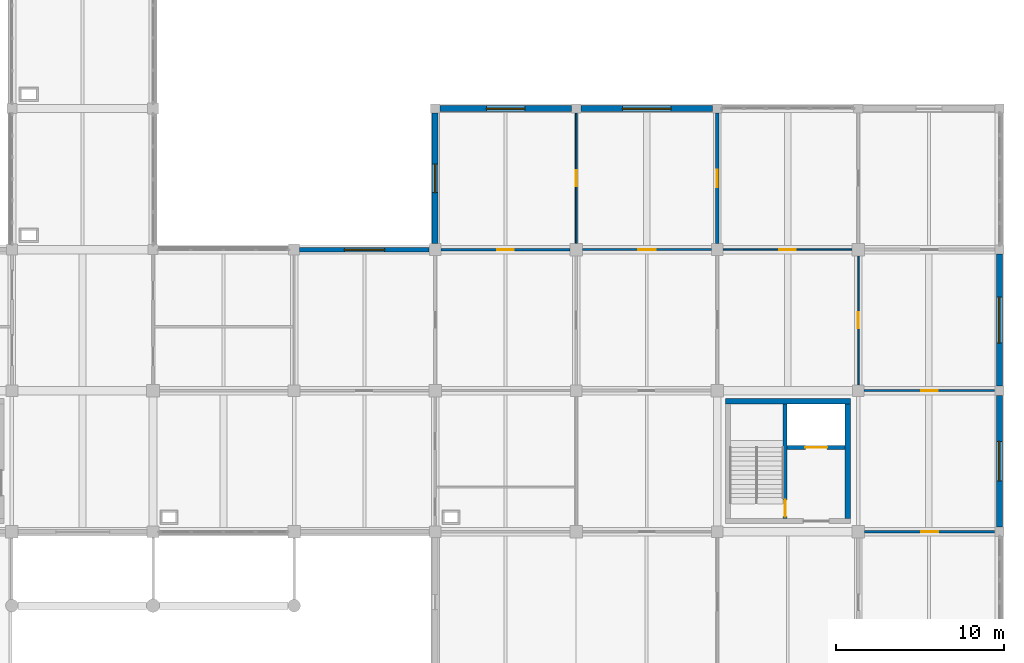
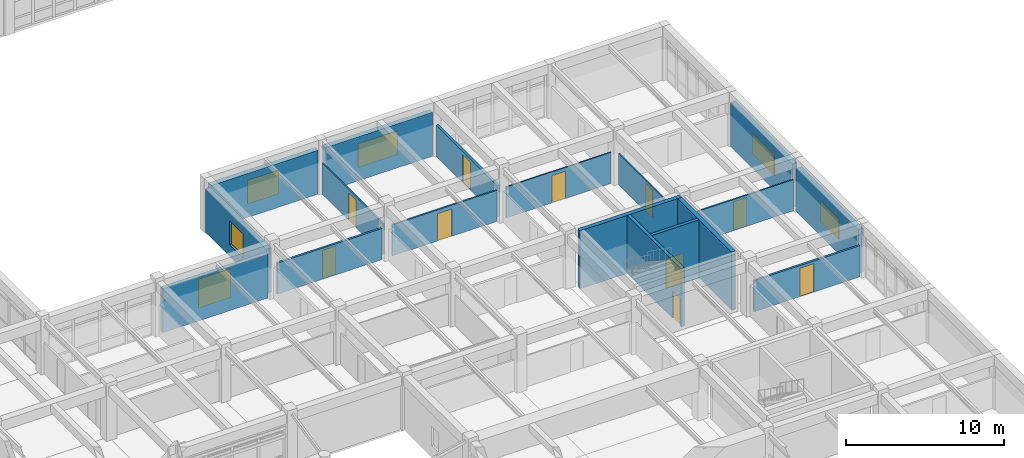
# One storey, part 93 of 99: 18 walls, 10 doors, 6 windows, 16 openings.
"""IFC4 building model written with IfcOpenShell, lengths in metres."""

from ifc_helpers import new_model, si_unit, direction, frame, frame_2d, origin, place, context, subcontext, project, spatial, rectangle, extrude, material, layer, layer_set, type_object, element, fill, save


model = new_model("IFC4")

# Units and contexts
model_context = context("Model", 3, precision=1e-05, world=origin(), true_north=direction((0.0, 1.0)))
body_context = subcontext(model_context, "Body", "Model", "MODEL_VIEW")
ifc_project = project(units=[si_unit("LENGTHUNIT", "METRE"), si_unit("AREAUNIT", "SQUARE_METRE"), si_unit("VOLUMEUNIT", "CUBIC_METRE"), si_unit("PLANEANGLEUNIT", "RADIAN"), si_unit("MASSUNIT", "GRAM", prefix="KILO")], contexts=[model_context])

# Site, building, storey
site_placement = place(None, origin())
site = spatial("IfcSite", under=ifc_project, at=site_placement, CompositionType="ELEMENT")
building_placement = place(site_placement, origin())
building = spatial("IfcBuilding", under=site, at=building_placement, Name="Porcellanite Civic Hall", CompositionType="ELEMENT")
storey_placement = place(building_placement, frame((0.0, 0.0, 5.760009765625)))
storey = spatial("IfcBuildingStorey", under=building, at=storey_placement, Name="L01", CompositionType="ELEMENT", Elevation=5.760009765625)

# Wall, opening, door
ifc_material_1 = material(Name="Concrete N40 (40 MPa)", Category="concrete")
ifc_layer_1 = layer(ifc_material_1, 0.239990234375)
ifc_layer_set_1 = layer_set([ifc_layer_1], Name="Concrete N40 (40 MPa)")
wall_type_1 = type_object("IfcWallType", Name="CW-SH240", PredefinedType="SHEAR", material=ifc_layer_set_1)
wall_1_placement = place(storey_placement, frame((163.639892578125, 51.179931640625, 0.0), z_axis=(0.0, 0.0, 1.0), x_axis=(0.0, 1.0, 0.0)))
wall_1 = element("IfcWall", 1, at=wall_1_placement, inside=storey, type_object=wall_type_1, Name="Core divider C8 L01", PredefinedType="SHEAR", context=body_context, shape_type="SweptSolid", body=[
    extrude(rectangle(XDim=6.840087890625, YDim=0.239990234375, at=frame_2d((3.419921875, 0.0))), origin(), (0.0, 0.0, 1.0), 4.5),
])
opening_1_placement = place(wall_1_placement, frame((0.1201171875, 0.0, 0.0)))
opening_1 = element("IfcOpeningElement", 2, at=opening_1_placement, cuts=wall_1, Name="Opening FD-C8-L01-ST", PredefinedType="OPENING", context=body_context, shape_type="SweptSolid", body=[
    extrude(rectangle(XDim=1.0, YDim=2.14990234375, at=frame_2d((0.5, 1.074951171875))), frame((0.0, 0.1201171875, 0.0), z_axis=(0.0, -1.0, 0.0), x_axis=(1.0, 0.0, 0.0)), (0.0, 0.0, 1.0), 0.239990234375),
])
ifc_material_2 = material(Name="Fire-rated solid-core hardwood timber", Category="wood")
door_type_1 = type_object("IfcDoorType", Name="DR-FD100", OperationType="NOTDEFINED", PredefinedType="DOOR", material=ifc_material_2)
door_1_placement = place(opening_1_placement, origin())
door_1 = element("IfcDoor", 3, at=door_1_placement, inside=storey, type_object=door_type_1, Name="Fire stair door FD-C8-L01-ST", OperationType="SINGLE_SWING_LEFT", OverallHeight=2.14990234375, OverallWidth=1.0, PredefinedType="DOOR", context=body_context, shape_type="SweptSolid", body=[
    extrude(rectangle(XDim=1.0, YDim=2.14990234375, at=frame_2d((0.5, 1.074951171875))), frame((0.0, 0.02490234375, 0.0), z_axis=(0.0, -1.0, 0.0), x_axis=(1.0, 0.0, 0.0)), (0.0, 0.0, 1.0), 0.050048828125),
])
fill(opening_1, door_1)

wall_2_placement = place(storey_placement, frame((163.760009765625, 55.419921875, 0.0), z_axis=(0.0, 0.0, 1.0), x_axis=(1.0, 0.0, 0.0)))
wall_2 = element("IfcWall", 4, at=wall_2_placement, inside=storey, type_object=wall_type_1, Name="Lift shaft wall C8 L01", PredefinedType="SHEAR", context=body_context, shape_type="SweptSolid", body=[
    extrude(rectangle(XDim=3.4599609375, YDim=0.239990234375, at=frame_2d((1.72998046875, 0.0))), origin(), (0.0, 0.0, 1.0), 4.5),
])
opening_2_placement = place(wall_2_placement, frame((1.080078125, 0.0, 0.0)))
opening_2 = element("IfcOpeningElement", 5, at=opening_2_placement, cuts=wall_2, Name="Opening LD-08", PredefinedType="OPENING", context=body_context, shape_type="SweptSolid", body=[
    extrude(rectangle(XDim=1.300048828125, YDim=2.25, at=frame_2d((0.64990234375, 1.125))), frame((0.0, 0.1201171875, 0.0), z_axis=(0.0, -1.0, 0.0), x_axis=(1.0, 0.0, 0.0)), (0.0, 0.0, 1.0), 0.239990234375),
])
ifc_material_3 = material(Name="Brushed stainless steel 316", Category="steel")
door_type_2 = type_object("IfcDoorType", Name="DR-LD130", OperationType="DOUBLE_DOOR_SLIDING", PredefinedType="DOOR", material=ifc_material_3)
door_2_placement = place(opening_2_placement, origin())
door_2 = element("IfcDoor", 6, at=door_2_placement, inside=storey, type_object=door_type_2, Name="Lift landing sliding door LD-08 L01", OperationType="DOUBLE_DOOR_SLIDING", OverallHeight=2.25, OverallWidth=1.300048828125, PredefinedType="DOOR", context=body_context, shape_type="SweptSolid", body=[
    extrude(rectangle(XDim=1.300048828125, YDim=2.25, at=frame_2d((0.64990234375, 1.125))), frame((0.0, 0.02490234375, 0.0), z_axis=(0.0, -1.0, 0.0), x_axis=(1.0, 0.0, 0.0)), (0.0, 0.0, 1.0), 0.050048828125),
])
fill(opening_2, door_2)

# Walls
ifc_material_4 = material(Name="Concrete N40 (40 MPa)", Category="concrete")
ifc_layer_2 = layer(ifc_material_4, 0.300048828125)
ifc_layer_set_2 = layer_set([ifc_layer_2], Name="Concrete N40 (40 MPa)")
wall_type_2 = type_object("IfcWallType", Name="CW-SH300", PredefinedType="SHEAR", material=ifc_layer_set_2)
wall_3_placement = place(storey_placement, frame((160.080078125, 58.169921875, 0.0), z_axis=(0.0, 0.0, 1.0), x_axis=(1.0, 0.0, 0.0)))
element("IfcWall", 7, at=wall_3_placement, inside=storey, type_object=wall_type_2, Name="Core wall C8 L01 N", PredefinedType="SHEAR", context=body_context, shape_type="SweptSolid", body=[
    extrude(rectangle(XDim=7.43994140625, YDim=0.300048828125, at=frame_2d((3.719970703125, 0.0))), origin(), (0.0, 0.0, 1.0), 4.5),
])
wall_4_placement = place(storey_placement, frame((167.3701171875, 58.02001953125, 0.0), z_axis=(0.0, 0.0, 1.0), x_axis=(0.0, -1.0, 0.0)))
element("IfcWall", 8, at=wall_4_placement, inside=storey, type_object=wall_type_2, Name="Core wall C8 L01 E", PredefinedType="SHEAR", context=body_context, shape_type="SweptSolid", body=[
    extrude(rectangle(XDim=6.840087890625, YDim=0.300048828125, at=frame_2d((3.419921875, 0.0))), origin(), (0.0, 0.0, 1.0), 4.5),
])

# Wall, opening, window
ifc_material_5 = material(Name="Precast concrete N40 (40 MPa)", Category="concrete")
ifc_layer_3 = layer(ifc_material_5, 0.280029296875)
ifc_layer_set_3 = layer_set([ifc_layer_3], Name="Precast concrete N40 (40 MPa)")
wall_type_3 = type_object("IfcWallType", Name="EW-CLO280", PredefinedType="SOLIDWALL", material=ifc_layer_set_3)
wall_5_placement = place(storey_placement, frame((134.72607421875, 67.199951171875, 0.0), z_axis=(0.0, 0.0, 1.0), x_axis=(1.0, 0.0, 0.0)))
wall_5 = element("IfcWall", 9, at=wall_5_placement, inside=storey, type_object=wall_type_3, Name="Exterior wall L01 N 17-8", PredefinedType="SOLIDWALL", context=body_context, shape_type="SweptSolid", body=[
    extrude(rectangle(XDim=7.722900390625, YDim=0.280029296875, at=frame_2d((3.861328125, 0.0))), origin(), (0.0, 0.0, 1.0), 3.39990234375),
])
opening_3_placement = place(wall_5_placement, frame((2.662109375, 0.0, 0.89990234375)))
opening_3 = element("IfcOpeningElement", 10, at=opening_3_placement, cuts=wall_5, Name="Opening W19", PredefinedType="OPENING", context=body_context, shape_type="SweptSolid", body=[
    extrude(rectangle(XDim=2.39990234375, YDim=2.25, at=frame_2d((1.199951171875, 1.125))), frame((0.0, 0.14013671875, 0.0), z_axis=(0.0, -1.0, 0.0), x_axis=(1.0, 0.0, 0.0)), (0.0, 0.0, 1.0), 0.280029296875),
])
ifc_material_6 = material(Name="Cyclone laminated low-E glazing in anodised aluminium frame", Category="aluminium")
window_type_1 = type_object("IfcWindowType", Name="WN-19", PartitioningType="TRIPLE_PANEL_VERTICAL", PredefinedType="WINDOW", material=ifc_material_6)
window_1_placement = place(opening_3_placement, origin())
window_1 = element("IfcWindow", 11, at=window_1_placement, inside=storey, type_object=window_type_1, Name="Window W19 L01 N 17-8", OverallHeight=2.25, OverallWidth=2.39990234375, PartitioningType="SINGLE_PANEL", PredefinedType="WINDOW", context=body_context, shape_type="SweptSolid", body=[
    extrude(rectangle(XDim=2.39990234375, YDim=2.25, at=frame_2d((1.199951171875, 1.125))), frame((0.0, 0.030029296875, 0.0), z_axis=(0.0, -1.0, 0.0), x_axis=(1.0, 0.0, 0.0)), (0.0, 0.0, 1.0), 0.06005859375),
])
fill(opening_3, window_1)

ifc_material_7 = material(Name="Precast concrete N40 (40 MPa)", Category="concrete")
ifc_layer_4 = layer(ifc_material_7, 0.360107421875)
ifc_layer_set_4 = layer_set([ifc_layer_4], Name="Precast concrete N40 (40 MPa)")
wall_type_4 = type_object("IfcWallType", Name="EW-LIB360", PredefinedType="SOLIDWALL", material=ifc_layer_set_4)
wall_6_placement = place(storey_placement, frame((142.800048828125, 67.551025390625, 0.0), z_axis=(0.0, 0.0, 1.0), x_axis=(0.0, 1.0, 0.0)))
wall_6 = element("IfcWall", 12, at=wall_6_placement, inside=storey, type_object=wall_type_4, Name="Exterior wall L01 W 18-9", PredefinedType="SOLIDWALL", context=body_context, shape_type="SweptSolid", body=[
    extrude(rectangle(XDim=7.77294921875, YDim=0.360107421875, at=frame_2d((3.886474609375, 0.0))), origin(), (0.0, 0.0, 1.0), 3.39990234375),
])
opening_4_placement = place(wall_6_placement, frame((3.035888671875, 0.0, 0.89990234375)))
opening_4 = element("IfcOpeningElement", 13, at=opening_4_placement, cuts=wall_6, Name="Opening W27", PredefinedType="OPENING", context=body_context, shape_type="SweptSolid", body=[
    extrude(rectangle(XDim=1.699951171875, YDim=1.85009765625, at=frame_2d((0.85009765625, 0.925048828125))), frame((0.0, 0.18017578125, 0.0), z_axis=(0.0, -1.0, 0.0), x_axis=(1.0, 0.0, 0.0)), (0.0, 0.0, 1.0), 0.360107421875),
])
ifc_material_8 = material(Name="Cyclone laminated low-E glazing in anodised aluminium frame", Category="aluminium")
window_type_2 = type_object("IfcWindowType", Name="WN-27", PartitioningType="DOUBLE_PANEL_VERTICAL", PredefinedType="WINDOW", material=ifc_material_8)
window_2_placement = place(opening_4_placement, origin())
window_2 = element("IfcWindow", 14, at=window_2_placement, inside=storey, type_object=window_type_2, Name="Window W27 L01 W 18-9", OverallHeight=1.85009765625, OverallWidth=1.699951171875, PartitioningType="SINGLE_PANEL", PredefinedType="WINDOW", context=body_context, shape_type="SweptSolid", body=[
    extrude(rectangle(XDim=1.699951171875, YDim=1.85009765625, at=frame_2d((0.85009765625, 0.925048828125))), frame((0.0, 0.030029296875, 0.0), z_axis=(0.0, -1.0, 0.0), x_axis=(1.0, 0.0, 0.0)), (0.0, 0.0, 1.0), 0.06005859375),
])
fill(opening_4, window_2)

wall_7_placement = place(storey_placement, frame((143.075927734375, 75.60009765625, 0.0), z_axis=(0.0, 0.0, 1.0), x_axis=(1.0, 0.0, 0.0)))
wall_7 = element("IfcWall", 15, at=wall_7_placement, inside=storey, type_object=wall_type_4, Name="Exterior wall L01 N 18-9", PredefinedType="SOLIDWALL", context=body_context, shape_type="SweptSolid", body=[
    extrude(rectangle(XDim=7.84814453125, YDim=0.360107421875, at=frame_2d((3.924072265625, 0.0))), origin(), (0.0, 0.0, 1.0), 3.39990234375),
])
opening_5_placement = place(wall_7_placement, frame((2.77392578125, 0.0, 0.89990234375)))
opening_5 = element("IfcOpeningElement", 16, at=opening_5_placement, cuts=wall_7, Name="Opening W28", PredefinedType="OPENING", context=body_context, shape_type="SweptSolid", body=[
    extrude(rectangle(XDim=2.300048828125, YDim=1.85009765625, at=frame_2d((1.14990234375, 0.925048828125))), frame((0.0, 0.18017578125, 0.0), z_axis=(0.0, -1.0, 0.0), x_axis=(1.0, 0.0, 0.0)), (0.0, 0.0, 1.0), 0.360107421875),
])
ifc_material_9 = material(Name="Cyclone laminated low-E glazing in anodised aluminium frame", Category="aluminium")
window_type_3 = type_object("IfcWindowType", Name="WN-28", PartitioningType="DOUBLE_PANEL_VERTICAL", PredefinedType="WINDOW", material=ifc_material_9)
window_3_placement = place(opening_5_placement, origin())
window_3 = element("IfcWindow", 17, at=window_3_placement, inside=storey, type_object=window_type_3, Name="Window W28 L01 N 18-9", OverallHeight=1.85009765625, OverallWidth=2.300048828125, PartitioningType="SINGLE_PANEL", PredefinedType="WINDOW", context=body_context, shape_type="SweptSolid", body=[
    extrude(rectangle(XDim=2.300048828125, YDim=1.85009765625, at=frame_2d((1.14990234375, 0.925048828125))), frame((0.0, 0.030029296875, 0.0), z_axis=(0.0, -1.0, 0.0), x_axis=(1.0, 0.0, 0.0)), (0.0, 0.0, 1.0), 0.06005859375),
])
fill(opening_5, window_3)

wall_8_placement = place(storey_placement, frame((151.47607421875, 75.60009765625, 0.0), z_axis=(0.0, 0.0, 1.0), x_axis=(1.0, 0.0, 0.0)))
wall_8 = element("IfcWall", 18, at=wall_8_placement, inside=storey, type_object=wall_type_4, Name="Exterior wall L01 N 19-9", PredefinedType="SOLIDWALL", context=body_context, shape_type="SweptSolid", body=[
    extrude(rectangle(XDim=7.847900390625, YDim=0.360107421875, at=frame_2d((3.923828125, 0.0))), origin(), (0.0, 0.0, 1.0), 3.39990234375),
])
opening_6_placement = place(wall_8_placement, frame((2.47412109375, 0.0, 0.89990234375)))
opening_6 = element("IfcOpeningElement", 19, at=opening_6_placement, cuts=wall_8, Name="Opening W29", PredefinedType="OPENING", context=body_context, shape_type="SweptSolid", body=[
    extrude(rectangle(XDim=2.89990234375, YDim=1.85009765625, at=frame_2d((1.449951171875, 0.925048828125))), frame((0.0, 0.18017578125, 0.0), z_axis=(0.0, -1.0, 0.0), x_axis=(1.0, 0.0, 0.0)), (0.0, 0.0, 1.0), 0.360107421875),
])
ifc_material_10 = material(Name="Cyclone laminated low-E glazing in anodised aluminium frame", Category="aluminium")
window_type_4 = type_object("IfcWindowType", Name="WN-29", PartitioningType="TRIPLE_PANEL_VERTICAL", PredefinedType="WINDOW", material=ifc_material_10)
window_4_placement = place(opening_6_placement, origin())
window_4 = element("IfcWindow", 20, at=window_4_placement, inside=storey, type_object=window_type_4, Name="Window W29 L01 N 19-9", OverallHeight=1.85009765625, OverallWidth=2.89990234375, PartitioningType="SINGLE_PANEL", PredefinedType="WINDOW", context=body_context, shape_type="SweptSolid", body=[
    extrude(rectangle(XDim=2.89990234375, YDim=1.85009765625, at=frame_2d((1.449951171875, 0.925048828125))), frame((0.0, 0.030029296875, 0.0), z_axis=(0.0, -1.0, 0.0), x_axis=(1.0, 0.0, 0.0)), (0.0, 0.0, 1.0), 0.06005859375),
])
fill(opening_6, window_4)

wall_9_placement = place(storey_placement, frame((176.39990234375, 58.52392578125, 0.0), z_axis=(0.0, 0.0, 1.0), x_axis=(0.0, -1.0, 0.0)))
wall_9 = element("IfcWall", 21, at=wall_9_placement, inside=storey, type_object=wall_type_4, Name="Exterior wall L01 E 21-7", PredefinedType="SOLIDWALL", context=body_context, shape_type="SweptSolid", body=[
    extrude(rectangle(XDim=7.847900390625, YDim=0.360107421875, at=frame_2d((3.923828125, 0.0))), origin(), (0.0, 0.0, 1.0), 3.39990234375),
])
opening_7_placement = place(wall_9_placement, frame((2.7490234375, 0.0, 0.89990234375)))
opening_7 = element("IfcOpeningElement", 22, at=opening_7_placement, cuts=wall_9, Name="Opening W36", PredefinedType="OPENING", context=body_context, shape_type="SweptSolid", body=[
    extrude(rectangle(XDim=2.35009765625, YDim=1.60009765625, at=frame_2d((1.175048828125, 0.800048828125))), frame((0.0, 0.18017578125, 0.0), z_axis=(0.0, -1.0, 0.0), x_axis=(1.0, 0.0, 0.0)), (0.0, 0.0, 1.0), 0.360107421875),
])
ifc_material_11 = material(Name="Cyclone laminated low-E glazing in anodised aluminium frame", Category="aluminium")
window_type_5 = type_object("IfcWindowType", Name="WN-36", PartitioningType="DOUBLE_PANEL_VERTICAL", PredefinedType="WINDOW", material=ifc_material_11)
window_5_placement = place(opening_7_placement, origin())
window_5 = element("IfcWindow", 23, at=window_5_placement, inside=storey, type_object=window_type_5, Name="Window W36 L01 E 21-7", OverallHeight=1.60009765625, OverallWidth=2.35009765625, PartitioningType="SINGLE_PANEL", PredefinedType="WINDOW", context=body_context, shape_type="SweptSolid", body=[
    extrude(rectangle(XDim=2.35009765625, YDim=1.60009765625, at=frame_2d((1.175048828125, 0.800048828125))), frame((0.0, 0.030029296875, 0.0), z_axis=(0.0, -1.0, 0.0), x_axis=(1.0, 0.0, 0.0)), (0.0, 0.0, 1.0), 0.06005859375),
])
fill(opening_7, window_5)

wall_10_placement = place(storey_placement, frame((176.39990234375, 66.924072265625, 0.0), z_axis=(0.0, 0.0, 1.0), x_axis=(0.0, -1.0, 0.0)))
wall_10 = element("IfcWall", 24, at=wall_10_placement, inside=storey, type_object=wall_type_4, Name="Exterior wall L01 E 21-8", PredefinedType="SOLIDWALL", context=body_context, shape_type="SweptSolid", body=[
    extrude(rectangle(XDim=7.84814453125, YDim=0.360107421875, at=frame_2d((3.924072265625, 0.0))), origin(), (0.0, 0.0, 1.0), 3.39990234375),
])
opening_8_placement = place(wall_10_placement, frame((2.549072265625, 0.0, 0.89990234375)))
opening_8 = element("IfcOpeningElement", 25, at=opening_8_placement, cuts=wall_10, Name="Opening W37", PredefinedType="OPENING", context=body_context, shape_type="SweptSolid", body=[
    extrude(rectangle(XDim=2.75, YDim=1.60009765625, at=frame_2d((1.375, 0.800048828125))), frame((0.0, 0.18017578125, 0.0), z_axis=(0.0, -1.0, 0.0), x_axis=(1.0, 0.0, 0.0)), (0.0, 0.0, 1.0), 0.360107421875),
])
ifc_material_12 = material(Name="Cyclone laminated low-E glazing in anodised aluminium frame", Category="aluminium")
window_type_6 = type_object("IfcWindowType", Name="WN-37", PartitioningType="TRIPLE_PANEL_VERTICAL", PredefinedType="WINDOW", material=ifc_material_12)
window_6_placement = place(opening_8_placement, origin())
window_6 = element("IfcWindow", 26, at=window_6_placement, inside=storey, type_object=window_type_6, Name="Window W37 L01 E 21-8", OverallHeight=1.60009765625, OverallWidth=2.75, PartitioningType="SINGLE_PANEL", PredefinedType="WINDOW", context=body_context, shape_type="SweptSolid", body=[
    extrude(rectangle(XDim=2.75, YDim=1.60009765625, at=frame_2d((1.375, 0.800048828125))), frame((0.0, 0.030029296875, 0.0), z_axis=(0.0, -1.0, 0.0), x_axis=(1.0, 0.0, 0.0)), (0.0, 0.0, 1.0), 0.06005859375),
])
fill(opening_8, window_6)

# Wall, opening, door
ifc_material_13 = material(Name="Insulated acoustic plasterboard on light-gauge steel studs", Category="steel")
ifc_layer_5 = layer(ifc_material_13, 0.094970703125)
ifc_layer_set_5 = layer_set([ifc_layer_5], Name="Insulated acoustic plasterboard on light-gauge steel studs")
wall_type_5 = type_object("IfcWallType", Name="IW-PT095", PredefinedType="PARTITIONING", material=ifc_layer_set_5)
wall_11_placement = place(storey_placement, frame((159.951904296875, 67.199951171875, 0.0), z_axis=(0.0, 0.0, 1.0), x_axis=(1.0, 0.0, 0.0)))
wall_11 = element("IfcWall", 27, at=wall_11_placement, inside=storey, type_object=wall_type_5, Name="Partition L01 H 20-8", PredefinedType="PARTITIONING", context=body_context, shape_type="SweptSolid", body=[
    extrude(rectangle(XDim=7.671142578125, YDim=0.094970703125, at=frame_2d((3.83544921875, 0.0))), origin(), (0.0, 0.0, 1.0), 2.39990234375),
])
opening_9_placement = place(wall_11_placement, frame((3.35107421875, 0.0, 0.0)))
opening_9 = element("IfcOpeningElement", 28, at=opening_9_placement, cuts=wall_11, Name="Opening D-L01-245", PredefinedType="OPENING", context=body_context, shape_type="SweptSolid", body=[
    extrude(rectangle(XDim=0.969970703125, YDim=2.1201171875, at=frame_2d((0.48486328125, 1.06005859375))), frame((0.0, 0.04736328125, 0.0), z_axis=(0.0, -1.0, 0.0), x_axis=(1.0, 0.0, 0.0)), (0.0, 0.0, 1.0), 0.094970703125),
])
ifc_material_14 = material(Name="Solid-core spotted-gum timber", Category="wood")
door_type_3 = type_object("IfcDoorType", Name="DR-RM097", OperationType="NOTDEFINED", PredefinedType="DOOR", material=ifc_material_14)
door_3_placement = place(opening_9_placement, origin())
door_3 = element("IfcDoor", 29, at=door_3_placement, inside=storey, type_object=door_type_3, Name="Interior door D-L01-245", OperationType="SINGLE_SWING_LEFT", OverallHeight=2.1201171875, OverallWidth=0.969970703125, PredefinedType="DOOR", context=body_context, shape_type="SweptSolid", body=[
    extrude(rectangle(XDim=0.969970703125, YDim=2.1201171875, at=frame_2d((0.48486328125, 1.06005859375))), frame((0.0, 0.02490234375, 0.0), z_axis=(0.0, -1.0, 0.0), x_axis=(1.0, 0.0, 0.0)), (0.0, 0.0, 1.0), 0.050048828125),
])
fill(opening_9, door_3)

wall_12_placement = place(storey_placement, frame((168.0, 59.152099609375, 0.0), z_axis=(0.0, 0.0, 1.0), x_axis=(0.0, 1.0, 0.0)))
wall_12 = element("IfcWall", 30, at=wall_12_placement, inside=storey, type_object=wall_type_5, Name="Partition L01 V 20-8", PredefinedType="PARTITIONING", context=body_context, shape_type="SweptSolid", body=[
    extrude(rectangle(XDim=7.6708984375, YDim=0.094970703125, at=frame_2d((3.83544921875, 0.0))), origin(), (0.0, 0.0, 1.0), 2.39990234375),
])
opening_10_placement = place(wall_12_placement, frame((3.364990234375, 0.0, 0.0)))
opening_10 = element("IfcOpeningElement", 31, at=opening_10_placement, cuts=wall_12, Name="Opening D-L01-306", PredefinedType="OPENING", context=body_context, shape_type="SweptSolid", body=[
    extrude(rectangle(XDim=0.93994140625, YDim=2.14990234375, at=frame_2d((0.469970703125, 1.074951171875))), frame((0.0, 0.04736328125, 0.0), z_axis=(0.0, -1.0, 0.0), x_axis=(1.0, 0.0, 0.0)), (0.0, 0.0, 1.0), 0.094970703125),
])
ifc_material_15 = material(Name="Solid-core spotted-gum timber", Category="wood")
door_type_4 = type_object("IfcDoorType", Name="DR-RM094", OperationType="NOTDEFINED", PredefinedType="DOOR", material=ifc_material_15)
door_4_placement = place(opening_10_placement, origin())
door_4 = element("IfcDoor", 32, at=door_4_placement, inside=storey, type_object=door_type_4, Name="Interior door D-L01-306", OperationType="SINGLE_SWING_RIGHT", OverallHeight=2.14990234375, OverallWidth=0.93994140625, PredefinedType="DOOR", context=body_context, shape_type="SweptSolid", body=[
    extrude(rectangle(XDim=0.93994140625, YDim=2.14990234375, at=frame_2d((0.469970703125, 1.074951171875))), frame((0.0, 0.02490234375, 0.0), z_axis=(0.0, -1.0, 0.0), x_axis=(1.0, 0.0, 0.0)), (0.0, 0.0, 1.0), 0.050048828125),
])
fill(opening_10, door_4)

ifc_material_16 = material(Name="Insulated acoustic plasterboard on light-gauge steel studs", Category="steel")
ifc_layer_6 = layer(ifc_material_16, 0.10498046875)
ifc_layer_set_6 = layer_set([ifc_layer_6], Name="Insulated acoustic plasterboard on light-gauge steel studs")
wall_type_6 = type_object("IfcWallType", Name="IW-PT105", PredefinedType="PARTITIONING", material=ifc_layer_set_6)
wall_13_placement = place(storey_placement, frame((151.199951171875, 67.576904296875, 0.0), z_axis=(0.0, 0.0, 1.0), x_axis=(0.0, 1.0, 0.0)))
wall_13 = element("IfcWall", 33, at=wall_13_placement, inside=storey, type_object=wall_type_6, Name="Partition L01 V 18-9", PredefinedType="PARTITIONING", context=body_context, shape_type="SweptSolid", body=[
    extrude(rectangle(XDim=7.74609375, YDim=0.10498046875, at=frame_2d((3.873046875, 0.0))), origin(), (0.0, 0.0, 1.0), 2.39990234375),
])
opening_11_placement = place(wall_13_placement, frame((3.387939453125, 0.0, 0.0)))
opening_11 = element("IfcOpeningElement", 34, at=opening_11_placement, cuts=wall_13, Name="Opening D-L01-297", PredefinedType="OPENING", context=body_context, shape_type="SweptSolid", body=[
    extrude(rectangle(XDim=0.969970703125, YDim=2.1201171875, at=frame_2d((0.48486328125, 1.06005859375))), frame((0.0, 0.052490234375, 0.0), z_axis=(0.0, -1.0, 0.0), x_axis=(1.0, 0.0, 0.0)), (0.0, 0.0, 1.0), 0.10498046875),
])
door_5_placement = place(opening_11_placement, origin())
door_5 = element("IfcDoor", 35, at=door_5_placement, inside=storey, type_object=door_type_3, Name="Interior door D-L01-297", OperationType="SINGLE_SWING_LEFT", OverallHeight=2.1201171875, OverallWidth=0.969970703125, PredefinedType="DOOR", context=body_context, shape_type="SweptSolid", body=[
    extrude(rectangle(XDim=0.969970703125, YDim=2.1201171875, at=frame_2d((0.48486328125, 1.06005859375))), frame((0.0, 0.02490234375, 0.0), z_axis=(0.0, -1.0, 0.0), x_axis=(1.0, 0.0, 0.0)), (0.0, 0.0, 1.0), 0.050048828125),
])
fill(opening_11, door_5)

ifc_material_17 = material(Name="Insulated acoustic plasterboard on light-gauge steel studs", Category="steel")
ifc_layer_7 = layer(ifc_material_17, 0.114990234375)
ifc_layer_set_7 = layer_set([ifc_layer_7], Name="Insulated acoustic plasterboard on light-gauge steel studs")
wall_type_7 = type_object("IfcWallType", Name="IW-PT115", PredefinedType="PARTITIONING", material=ifc_layer_set_7)
wall_14_placement = place(storey_placement, frame((168.35205078125, 58.800048828125, 0.0), z_axis=(0.0, 0.0, 1.0), x_axis=(1.0, 0.0, 0.0)))
wall_14 = element("IfcWall", 36, at=wall_14_placement, inside=storey, type_object=wall_type_7, Name="Partition L01 H 21-7", PredefinedType="PARTITIONING", context=body_context, shape_type="SweptSolid", body=[
    extrude(rectangle(XDim=7.77099609375, YDim=0.114990234375, at=frame_2d((3.885498046875, 0.0))), origin(), (0.0, 0.0, 1.0), 2.39990234375),
])
opening_12_placement = place(wall_14_placement, frame((3.385009765625, 0.0, 0.0)))
opening_12 = element("IfcOpeningElement", 37, at=opening_12_placement, cuts=wall_14, Name="Opening D-L01-251", PredefinedType="OPENING", context=body_context, shape_type="SweptSolid", body=[
    extrude(rectangle(XDim=1.0, YDim=2.199951171875, at=frame_2d((0.5, 1.10009765625))), frame((0.0, 0.0576171875, 0.0), z_axis=(0.0, -1.0, 0.0), x_axis=(1.0, 0.0, 0.0)), (0.0, 0.0, 1.0), 0.114990234375),
])
ifc_material_18 = material(Name="Solid-core spotted-gum timber", Category="wood")
door_type_5 = type_object("IfcDoorType", Name="DR-RM100", OperationType="NOTDEFINED", PredefinedType="DOOR", material=ifc_material_18)
door_6_placement = place(opening_12_placement, origin())
door_6 = element("IfcDoor", 38, at=door_6_placement, inside=storey, type_object=door_type_5, Name="Interior door D-L01-251", OperationType="SINGLE_SWING_LEFT", OverallHeight=2.199951171875, OverallWidth=1.0, PredefinedType="DOOR", context=body_context, shape_type="SweptSolid", body=[
    extrude(rectangle(XDim=1.0, YDim=2.199951171875, at=frame_2d((0.5, 1.10009765625))), frame((0.0, 0.02490234375, 0.0), z_axis=(0.0, -1.0, 0.0), x_axis=(1.0, 0.0, 0.0)), (0.0, 0.0, 1.0), 0.050048828125),
])
fill(opening_12, door_6)

ifc_material_19 = material(Name="Insulated acoustic plasterboard on light-gauge steel studs", Category="steel")
ifc_layer_8 = layer(ifc_material_19, 0.125)
ifc_layer_set_8 = layer_set([ifc_layer_8], Name="Insulated acoustic plasterboard on light-gauge steel studs")
wall_type_8 = type_object("IfcWallType", Name="IW-PT125", PredefinedType="PARTITIONING", material=ifc_layer_set_8)
wall_15_placement = place(storey_placement, frame((151.576904296875, 67.199951171875, 0.0), z_axis=(0.0, 0.0, 1.0), x_axis=(1.0, 0.0, 0.0)))
wall_15 = element("IfcWall", 39, at=wall_15_placement, inside=storey, type_object=wall_type_8, Name="Partition L01 H 19-8", PredefinedType="PARTITIONING", context=body_context, shape_type="SweptSolid", body=[
    extrude(rectangle(XDim=7.671142578125, YDim=0.125, at=frame_2d((3.83544921875, 0.0))), origin(), (0.0, 0.0, 1.0), 2.39990234375),
])
opening_13_placement = place(wall_15_placement, frame((3.31103515625, 0.0, 0.0)))
opening_13 = element("IfcOpeningElement", 40, at=opening_13_placement, cuts=wall_15, Name="Opening D-L01-243", PredefinedType="OPENING", context=body_context, shape_type="SweptSolid", body=[
    extrude(rectangle(XDim=1.050048828125, YDim=2.1201171875, at=frame_2d((0.52490234375, 1.06005859375))), frame((0.0, 0.0625, 0.0), z_axis=(0.0, -1.0, 0.0), x_axis=(1.0, 0.0, 0.0)), (0.0, 0.0, 1.0), 0.125),
])
ifc_material_20 = material(Name="Solid-core spotted-gum timber", Category="wood")
door_type_6 = type_object("IfcDoorType", Name="DR-RM105", OperationType="NOTDEFINED", PredefinedType="DOOR", material=ifc_material_20)
door_7_placement = place(opening_13_placement, origin())
door_7 = element("IfcDoor", 41, at=door_7_placement, inside=storey, type_object=door_type_6, Name="Interior door D-L01-243", OperationType="SINGLE_SWING_LEFT", OverallHeight=2.1201171875, OverallWidth=1.050048828125, PredefinedType="DOOR", context=body_context, shape_type="SweptSolid", body=[
    extrude(rectangle(XDim=1.050048828125, YDim=2.1201171875, at=frame_2d((0.52490234375, 1.06005859375))), frame((0.0, 0.02490234375, 0.0), z_axis=(0.0, -1.0, 0.0), x_axis=(1.0, 0.0, 0.0)), (0.0, 0.0, 1.0), 0.050048828125),
])
fill(opening_13, door_7)

ifc_material_21 = material(Name="Insulated acoustic plasterboard on light-gauge steel studs", Category="steel")
ifc_layer_9 = layer(ifc_material_21, 0.155029296875)
ifc_layer_set_9 = layer_set([ifc_layer_9], Name="Insulated acoustic plasterboard on light-gauge steel studs")
wall_type_9 = type_object("IfcWallType", Name="IW-PT155", PredefinedType="PARTITIONING", material=ifc_layer_set_9)
wall_16_placement = place(storey_placement, frame((143.152099609375, 67.199951171875, 0.0), z_axis=(0.0, 0.0, 1.0), x_axis=(1.0, 0.0, 0.0)))
wall_16 = element("IfcWall", 42, at=wall_16_placement, inside=storey, type_object=wall_type_9, Name="Partition L01 H 18-8", PredefinedType="PARTITIONING", context=body_context, shape_type="SweptSolid", body=[
    extrude(rectangle(XDim=7.6708984375, YDim=0.155029296875, at=frame_2d((3.83544921875, 0.0))), origin(), (0.0, 0.0, 1.0), 2.39990234375),
])
opening_14_placement = place(wall_16_placement, frame((3.3359375, 0.0, 0.0)))
opening_14 = element("IfcOpeningElement", 43, at=opening_14_placement, cuts=wall_16, Name="Opening D-L01-238", PredefinedType="OPENING", context=body_context, shape_type="SweptSolid", body=[
    extrude(rectangle(XDim=1.0, YDim=2.199951171875, at=frame_2d((0.5, 1.10009765625))), frame((0.0, 0.07763671875, 0.0), z_axis=(0.0, -1.0, 0.0), x_axis=(1.0, 0.0, 0.0)), (0.0, 0.0, 1.0), 0.155029296875),
])
door_8_placement = place(opening_14_placement, origin())
door_8 = element("IfcDoor", 44, at=door_8_placement, inside=storey, type_object=door_type_5, Name="Interior door D-L01-238", OperationType="SINGLE_SWING_RIGHT", OverallHeight=2.199951171875, OverallWidth=1.0, PredefinedType="DOOR", context=body_context, shape_type="SweptSolid", body=[
    extrude(rectangle(XDim=1.0, YDim=2.199951171875, at=frame_2d((0.5, 1.10009765625))), frame((0.0, 0.02490234375, 0.0), z_axis=(0.0, -1.0, 0.0), x_axis=(1.0, 0.0, 0.0)), (0.0, 0.0, 1.0), 0.050048828125),
])
fill(opening_14, door_8)

ifc_material_22 = material(Name="Insulated acoustic plasterboard on light-gauge steel studs", Category="steel")
ifc_layer_10 = layer(ifc_material_22, 0.1650390625)
ifc_layer_set_10 = layer_set([ifc_layer_10], Name="Insulated acoustic plasterboard on light-gauge steel studs")
wall_type_10 = type_object("IfcWallType", Name="IW-PT165", PredefinedType="PARTITIONING", material=ifc_layer_set_10)
wall_17_placement = place(storey_placement, frame((168.376953125, 50.39990234375, 0.0), z_axis=(0.0, 0.0, 1.0), x_axis=(1.0, 0.0, 0.0)))
wall_17 = element("IfcWall", 45, at=wall_17_placement, inside=storey, type_object=wall_type_10, Name="Partition L01 H 21-6", PredefinedType="PARTITIONING", context=body_context, shape_type="SweptSolid", body=[
    extrude(rectangle(XDim=7.74609375, YDim=0.1650390625, at=frame_2d((3.873046875, 0.0))), origin(), (0.0, 0.0, 1.0), 2.39990234375),
])
opening_15_placement = place(wall_17_placement, frame((3.363037109375, 0.0, 0.0)))
opening_15 = element("IfcOpeningElement", 46, at=opening_15_placement, cuts=wall_17, Name="Opening D-L01-250", PredefinedType="OPENING", context=body_context, shape_type="SweptSolid", body=[
    extrude(rectangle(XDim=1.02001953125, YDim=2.199951171875, at=frame_2d((0.510009765625, 1.10009765625))), frame((0.0, 0.08251953125, 0.0), z_axis=(0.0, -1.0, 0.0), x_axis=(1.0, 0.0, 0.0)), (0.0, 0.0, 1.0), 0.1650390625),
])
ifc_material_23 = material(Name="Solid-core spotted-gum timber", Category="wood")
door_type_7 = type_object("IfcDoorType", Name="DR-RM102", OperationType="NOTDEFINED", PredefinedType="DOOR", material=ifc_material_23)
door_9_placement = place(opening_15_placement, origin())
door_9 = element("IfcDoor", 47, at=door_9_placement, inside=storey, type_object=door_type_7, Name="Interior door D-L01-250", OperationType="SINGLE_SWING_RIGHT", OverallHeight=2.199951171875, OverallWidth=1.02001953125, PredefinedType="DOOR", context=body_context, shape_type="SweptSolid", body=[
    extrude(rectangle(XDim=1.02001953125, YDim=2.199951171875, at=frame_2d((0.510009765625, 1.10009765625))), frame((0.0, 0.02490234375, 0.0), z_axis=(0.0, -1.0, 0.0), x_axis=(1.0, 0.0, 0.0)), (0.0, 0.0, 1.0), 0.050048828125),
])
fill(opening_15, door_9)

ifc_material_24 = material(Name="Insulated acoustic plasterboard on light-gauge steel studs", Category="steel")
ifc_layer_11 = layer(ifc_material_24, 0.195068359375)
ifc_layer_set_11 = layer_set([ifc_layer_11], Name="Insulated acoustic plasterboard on light-gauge steel studs")
wall_type_11 = type_object("IfcWallType", Name="IW-PT195", PredefinedType="PARTITIONING", material=ifc_layer_set_11)
wall_18_placement = place(storey_placement, frame((159.60009765625, 67.552001953125, 0.0), z_axis=(0.0, 0.0, 1.0), x_axis=(0.0, 1.0, 0.0)))
wall_18 = element("IfcWall", 48, at=wall_18_placement, inside=storey, type_object=wall_type_11, Name="Partition L01 V 19-9", PredefinedType="PARTITIONING", context=body_context, shape_type="SweptSolid", body=[
    extrude(rectangle(XDim=7.77099609375, YDim=0.195068359375, at=frame_2d((3.885498046875, 0.0))), origin(), (0.0, 0.0, 1.0), 2.39990234375),
])
opening_16_placement = place(wall_18_placement, frame((3.364990234375, 0.0, 0.0)))
opening_16 = element("IfcOpeningElement", 49, at=opening_16_placement, cuts=wall_18, Name="Opening D-L01-301", PredefinedType="OPENING", context=body_context, shape_type="SweptSolid", body=[
    extrude(rectangle(XDim=1.0400390625, YDim=2.199951171875, at=frame_2d((0.52001953125, 1.10009765625))), frame((0.0, 0.09765625, 0.0), z_axis=(0.0, -1.0, 0.0), x_axis=(1.0, 0.0, 0.0)), (0.0, 0.0, 1.0), 0.195068359375),
])
ifc_material_25 = material(Name="Solid-core spotted-gum timber", Category="wood")
door_type_8 = type_object("IfcDoorType", Name="DR-RM104", OperationType="NOTDEFINED", PredefinedType="DOOR", material=ifc_material_25)
door_10_placement = place(opening_16_placement, origin())
door_10 = element("IfcDoor", 50, at=door_10_placement, inside=storey, type_object=door_type_8, Name="Interior door D-L01-301", OperationType="SINGLE_SWING_LEFT", OverallHeight=2.199951171875, OverallWidth=1.0400390625, PredefinedType="DOOR", context=body_context, shape_type="SweptSolid", body=[
    extrude(rectangle(XDim=1.0400390625, YDim=2.199951171875, at=frame_2d((0.52001953125, 1.10009765625))), frame((0.0, 0.02490234375, 0.0), z_axis=(0.0, -1.0, 0.0), x_axis=(1.0, 0.0, 0.0)), (0.0, 0.0, 1.0), 0.050048828125),
])
fill(opening_16, door_10)

save(model, "model.ifc")
